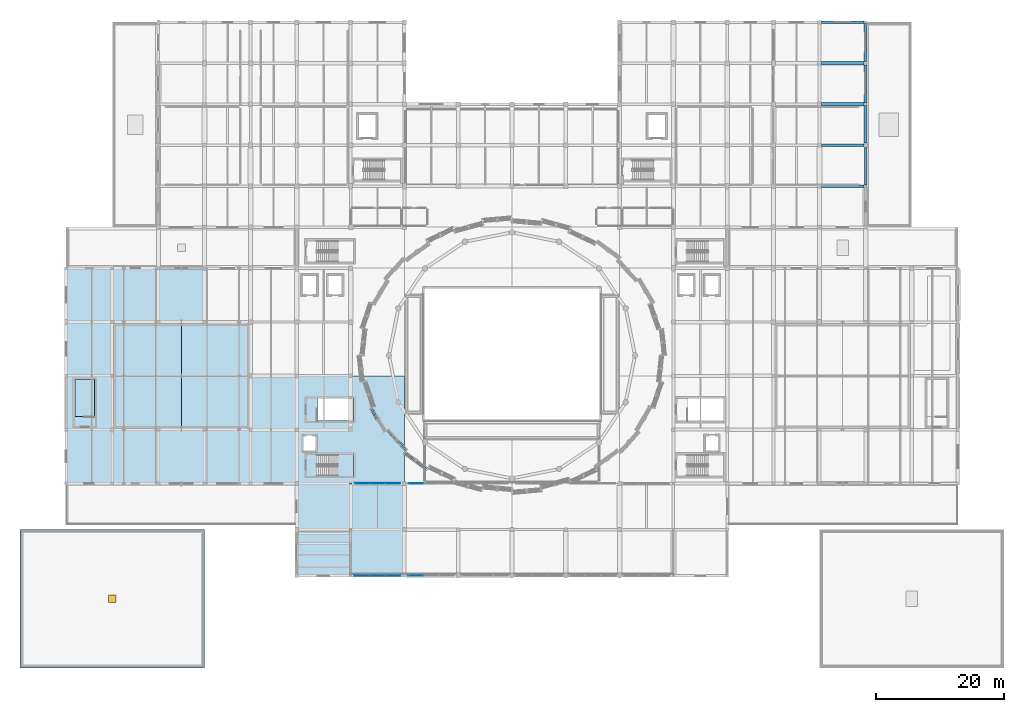
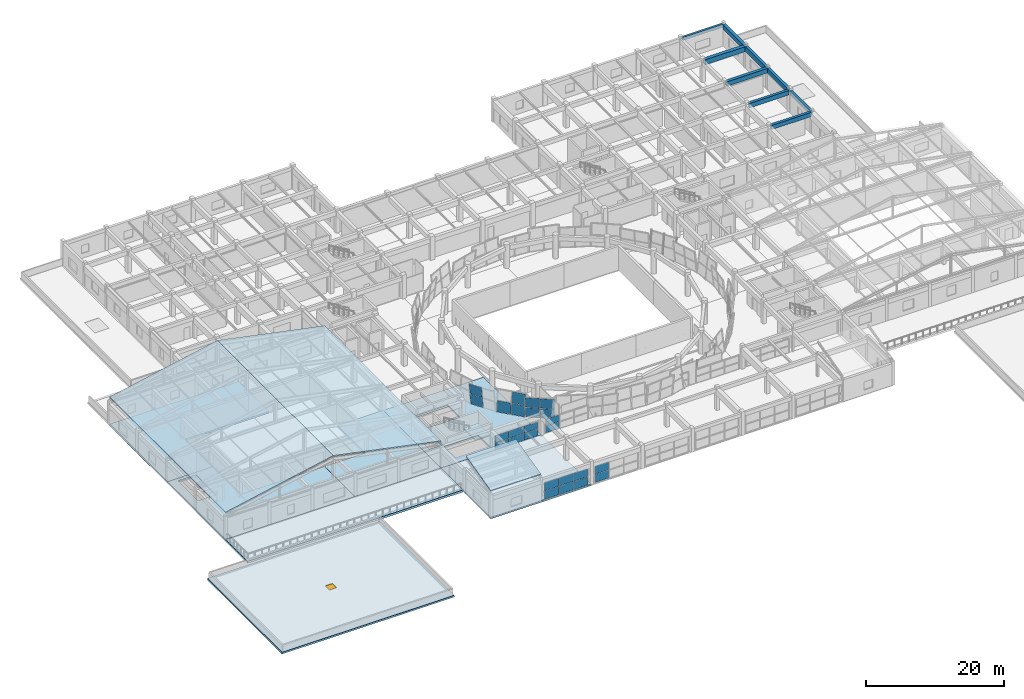
# One storey, part 47 of 74: 25 plates, 11 slabs, 9 beams, 1 window, 1 opening, 8 elements without a shape of their own.
"""IFC4 building model written with IfcOpenShell, lengths in metres."""

from ifc_helpers import new_model, si_unit, direction, frame, origin, origin_2d, place, context, subcontext, project, spatial, polyline, rectangle, outline, extrude, material, layer, layer_set, material_profile, profile_set, type_object, element, fill, aggregate, save


model = new_model("IFC4")

# Units and contexts
model_context = context("Model", 3, precision=1e-05, world=origin(), true_north=direction((0.0, 1.0)))
body_context = subcontext(model_context, "Body", "Model", "MODEL_VIEW")
ifc_project = project(units=[si_unit("LENGTHUNIT", "METRE"), si_unit("AREAUNIT", "SQUARE_METRE"), si_unit("VOLUMEUNIT", "CUBIC_METRE"), si_unit("PLANEANGLEUNIT", "RADIAN"), si_unit("MASSUNIT", "GRAM", prefix="KILO")], contexts=[model_context])

# Site, building, storey
site_placement = place(None, origin())
site = spatial("IfcSite", under=ifc_project, at=site_placement, CompositionType="ELEMENT")
building_placement = place(site_placement, origin())
building = spatial("IfcBuilding", under=site, at=building_placement, Name="Korsvaeld Concert Hall", CompositionType="ELEMENT")
storey_placement = place(building_placement, frame((0.0, 0.0, 9.0)))
storey = spatial("IfcBuildingStorey", under=building, at=storey_placement, Name="L02", CompositionType="ELEMENT", Elevation=9.0)

# Beams
ifc_material_1 = material(Name="Concrete C35/45", Category="concrete")
ifc_material_profile_1 = material_profile(ifc_material_1, rectangle(XDim=0.39990234375, YDim=0.699951171875, at=origin_2d()), Name="RC 400x700")
ifc_profile_set_1 = profile_set([ifc_material_profile_1], Name="Concrete C35/45")
beam_type_1 = type_object("IfcBeamType", Name="BM-RC-400x700", PredefinedType="T_BEAM", material=ifc_profile_set_1)
beam_1_placement = place(storey_placement, frame((139.199951171875, 89.824951171875, 3.489990234375), z_axis=(0.0, 1.0, 0.0), x_axis=(-1.0, 0.0, 0.0)))
element("IfcBeam", 1, at=beam_1_placement, inside=storey, type_object=beam_type_1, Name="Primary girder 19/N-P L02", PredefinedType="T_BEAM", context=body_context, shape_type="SweptSolid", body=[
    extrude(rectangle(XDim=0.39990234375, YDim=0.699951171875, at=origin_2d()), origin(), (0.0, 0.0, 1.0), 5.800048828125),
])
ifc_material_profile_2 = material_profile(ifc_material_1, rectangle(XDim=0.449951171875, YDim=0.75, at=origin_2d()), Name="RC 450x750")
ifc_profile_set_2 = profile_set([ifc_material_profile_2], Name="Concrete C35/45")
beam_type_2 = type_object("IfcBeamType", Name="BM-RC-450x750", PredefinedType="T_BEAM", material=ifc_profile_set_2)
beam_2_placement = place(storey_placement, frame((132.27490234375, 89.60009765625, 3.465087890625), z_axis=(1.0, 0.0, 0.0), x_axis=(0.0, 1.0, 0.0)))
element("IfcBeam", 2, at=beam_2_placement, inside=storey, type_object=beam_type_2, Name="Primary girder 18-19/N L02", PredefinedType="T_BEAM", context=body_context, shape_type="SweptSolid", body=[
    extrude(rectangle(XDim=0.449951171875, YDim=0.75, at=origin_2d()), origin(), (0.0, 0.0, 1.0), 6.7001953125),
])
ifc_material_profile_3 = material_profile(ifc_material_1, rectangle(XDim=0.449951171875, YDim=0.800048828125, at=origin_2d()), Name="RC 450x800")
ifc_profile_set_3 = profile_set([ifc_material_profile_3], Name="Concrete C35/45")
beam_type_3 = type_object("IfcBeamType", Name="BM-RC-450x800", PredefinedType="T_BEAM", material=ifc_profile_set_3)
beam_3_placement = place(storey_placement, frame((132.300048828125, 96.0, 3.43994140625), z_axis=(1.0, 0.0, 0.0), x_axis=(0.0, 1.0, 0.0)))
element("IfcBeam", 3, at=beam_3_placement, inside=storey, type_object=beam_type_3, Name="Primary girder 18-19/P L02", PredefinedType="T_BEAM", context=body_context, shape_type="SweptSolid", body=[
    extrude(rectangle(XDim=0.449951171875, YDim=0.800048828125, at=origin_2d()), origin(), (0.0, 0.0, 1.0), 6.625),
])
beam_4_placement = place(storey_placement, frame((139.199951171875, 96.375, 3.43994140625), z_axis=(0.0, 1.0, 0.0), x_axis=(-1.0, 0.0, 0.0)))
element("IfcBeam", 4, at=beam_4_placement, inside=storey, type_object=beam_type_3, Name="Primary girder 19/P-Q L02", PredefinedType="T_BEAM", context=body_context, shape_type="SweptSolid", body=[
    extrude(rectangle(XDim=0.449951171875, YDim=0.800048828125, at=origin_2d()), origin(), (0.0, 0.0, 1.0), 5.800048828125),
])
ifc_material_2 = material(Name="Concrete C40/50", Category="concrete")
ifc_material_profile_4 = material_profile(ifc_material_2, rectangle(XDim=0.449951171875, YDim=0.85009765625, at=origin_2d()), Name="RC 450x850")
ifc_profile_set_4 = profile_set([ifc_material_profile_4], Name="Concrete C40/50")
beam_type_4 = type_object("IfcBeamType", Name="BM-RC-450x850", PredefinedType="T_BEAM", material=ifc_profile_set_4)
beam_5_placement = place(storey_placement, frame((139.199951171875, 102.625, 3.4150390625), z_axis=(0.0, 1.0, 0.0), x_axis=(-1.0, 0.0, 0.0)))
element("IfcBeam", 5, at=beam_5_placement, inside=storey, type_object=beam_type_4, Name="Primary girder 19/Q-R L02", PredefinedType="T_BEAM", context=body_context, shape_type="SweptSolid", body=[
    extrude(rectangle(XDim=0.449951171875, YDim=0.85009765625, at=origin_2d()), origin(), (0.0, 0.0, 1.0), 5.925048828125),
])
ifc_material_profile_5 = material_profile(ifc_material_2, rectangle(XDim=0.5, YDim=0.800048828125, at=origin_2d()), Name="RC 500x800")
ifc_profile_set_5 = profile_set([ifc_material_profile_5], Name="Concrete C40/50")
beam_type_5 = type_object("IfcBeamType", Name="BM-RC-500x800", PredefinedType="T_BEAM", material=ifc_profile_set_5)
beam_6_placement = place(storey_placement, frame((132.27490234375, 102.39990234375, 3.43994140625), z_axis=(1.0, 0.0, 0.0), x_axis=(0.0, 1.0, 0.0)))
element("IfcBeam", 6, at=beam_6_placement, inside=storey, type_object=beam_type_5, Name="Primary girder 18-19/Q L02", PredefinedType="T_BEAM", context=body_context, shape_type="SweptSolid", body=[
    extrude(rectangle(XDim=0.5, YDim=0.800048828125, at=origin_2d()), origin(), (0.0, 0.0, 1.0), 6.7001953125),
])
ifc_material_profile_6 = material_profile(ifc_material_2, rectangle(XDim=0.5, YDim=0.85009765625, at=origin_2d()), Name="RC 500x850")
ifc_profile_set_6 = profile_set([ifc_material_profile_6], Name="Concrete C40/50")
beam_type_6 = type_object("IfcBeamType", Name="BM-RC-500x850", PredefinedType="T_BEAM", material=ifc_profile_set_6)
beam_7_placement = place(storey_placement, frame((139.199951171875, 109.050048828125, 3.4150390625), z_axis=(0.0, 1.0, 0.0), x_axis=(-1.0, 0.0, 0.0)))
element("IfcBeam", 7, at=beam_7_placement, inside=storey, type_object=beam_type_6, Name="Primary girder 19/R-S L02", PredefinedType="T_BEAM", context=body_context, shape_type="SweptSolid", body=[
    extrude(rectangle(XDim=0.5, YDim=0.85009765625, at=origin_2d()), origin(), (0.0, 0.0, 1.0), 5.925048828125),
])
ifc_material_profile_7 = material_profile(ifc_material_2, rectangle(XDim=0.550048828125, YDim=0.89990234375, at=origin_2d()), Name="RC 550x900")
ifc_profile_set_7 = profile_set([ifc_material_profile_7], Name="Concrete C40/50")
beam_type_7 = type_object("IfcBeamType", Name="BM-RC-550x900", PredefinedType="T_BEAM", material=ifc_profile_set_7)
beam_8_placement = place(storey_placement, frame((132.300048828125, 108.800048828125, 3.389892578125), z_axis=(1.0, 0.0, 0.0), x_axis=(0.0, 1.0, 0.0)))
element("IfcBeam", 8, at=beam_8_placement, inside=storey, type_object=beam_type_7, Name="Primary girder 18-19/R L02", PredefinedType="T_BEAM", context=body_context, shape_type="SweptSolid", body=[
    extrude(rectangle(XDim=0.550048828125, YDim=0.89990234375, at=origin_2d()), origin(), (0.0, 0.0, 1.0), 6.64990234375),
])
ifc_material_profile_8 = material_profile(ifc_material_1, rectangle(XDim=0.35009765625, YDim=0.550048828125, at=origin_2d()), Name="RC 350x550")
ifc_profile_set_8 = profile_set([ifc_material_profile_8], Name="Concrete C35/45")
beam_type_8 = type_object("IfcBeamType", Name="BM-SP-350x550", PredefinedType="SPANDREL", material=ifc_profile_set_8)
beam_9_placement = place(storey_placement, frame((132.27490234375, 115.199951171875, 3.56494140625), z_axis=(1.0, 0.0, 0.0), x_axis=(0.0, 1.0, 0.0)))
element("IfcBeam", 9, at=beam_9_placement, inside=storey, type_object=beam_type_8, Name="Primary girder 18-19/S L02", PredefinedType="SPANDREL", context=body_context, shape_type="SweptSolid", body=[
    extrude(rectangle(XDim=0.35009765625, YDim=0.550048828125, at=origin_2d()), origin(), (0.0, 0.0, 1.0), 6.7001953125),
])

# Curtain wall, plates
ifc_material_3 = material(Name="Anodised bronze and ceramic-fritted safety glass", Category="glass")
curtain_wall_type_1 = type_object("IfcCurtainWallType", Name="CW-TYPE-09", PredefinedType="USERDEFINED", material=ifc_material_3)
curtain_wall_1_placement = place(storey_placement, origin())
curtain_wall_1 = element("IfcCurtainWall", 10, at=curtain_wall_1_placement, inside=storey, type_object=curtain_wall_type_1, Name="Wintergarden foyer curtain wall L02-17", ObjectType="CURTAIN WALL", PredefinedType="USERDEFINED")
ifc_material_4 = material(Name="Clear acoustic triple safety glazing", Category="glass")
ifc_layer_1 = layer(ifc_material_4, 0.0439453125)
ifc_layer_set_1 = layer_set([ifc_layer_1], Name="Clear acoustic triple safety glazing")
plate_type_1 = type_object("IfcPlateType", Name="CWP-CLEAR-44", PredefinedType="CURTAIN_PANEL", material=ifc_layer_set_1)
plate_1_placement = place(storey_placement, frame((68.981689453125, 28.800048828125, 0.06005859375), z_axis=(0.0, 0.0, 1.0), x_axis=(-1.0, 0.0, 0.0)))
plate_1 = element("IfcPlate", 11, at=plate_1_placement, type_object=plate_type_1, Name="CW-09 panel 3.1", PredefinedType="CURTAIN_PANEL", context=body_context, shape_type="SweptSolid", body=[
    extrude(rectangle(XDim=2.34326171875, YDim=0.0439453125, at=origin_2d()), origin(), (0.0, 0.0, 1.0), 1.429931640625),
])
plate_2_placement = place(storey_placement, frame((68.981689453125, 28.800048828125, 1.5498046875), z_axis=(0.0, 0.0, 1.0), x_axis=(-1.0, 0.0, 0.0)))
plate_2 = element("IfcPlate", 12, at=plate_2_placement, type_object=plate_type_1, Name="CW-09 panel 3.2", PredefinedType="CURTAIN_PANEL", context=body_context, shape_type="SweptSolid", body=[
    extrude(rectangle(XDim=2.34326171875, YDim=0.0439453125, at=origin_2d()), origin(), (0.0, 0.0, 1.0), 1.429931640625),
])
aggregate(curtain_wall_1, [plate_1, plate_2])

curtain_wall_type_2 = type_object("IfcCurtainWallType", Name="CW-TYPE-10", PredefinedType="USERDEFINED", material=ifc_material_3)
curtain_wall_2_placement = place(storey_placement, origin())
curtain_wall_2 = element("IfcCurtainWall", 13, at=curtain_wall_2_placement, inside=storey, type_object=curtain_wall_type_2, Name="Wintergarden foyer curtain wall L02-18", ObjectType="CURTAIN WALL", PredefinedType="USERDEFINED")
plate_3_placement = place(storey_placement, frame((65.418212890625, 28.800048828125, 0.06005859375), z_axis=(0.0, 0.0, 1.0), x_axis=(-1.0, 0.0, 0.0)))
plate_3 = element("IfcPlate", 14, at=plate_3_placement, type_object=plate_type_1, Name="CW-10 panel 1.1", PredefinedType="CURTAIN_PANEL", context=body_context, shape_type="SweptSolid", body=[
    extrude(rectangle(XDim=2.34326171875, YDim=0.0439453125, at=origin_2d()), origin(), (0.0, 0.0, 1.0), 1.429931640625),
])
plate_4_placement = place(storey_placement, frame((65.418212890625, 28.800048828125, 1.5498046875), z_axis=(0.0, 0.0, 1.0), x_axis=(-1.0, 0.0, 0.0)))
plate_4 = element("IfcPlate", 15, at=plate_4_placement, type_object=plate_type_1, Name="CW-10 panel 1.2", PredefinedType="CURTAIN_PANEL", context=body_context, shape_type="SweptSolid", body=[
    extrude(rectangle(XDim=2.34326171875, YDim=0.0439453125, at=origin_2d()), origin(), (0.0, 0.0, 1.0), 1.429931640625),
])
plate_5_placement = place(storey_placement, frame((63.0, 28.800048828125, 0.06005859375), z_axis=(0.0, 0.0, 1.0), x_axis=(-1.0, 0.0, 0.0)))
plate_5 = element("IfcPlate", 16, at=plate_5_placement, type_object=plate_type_1, Name="CW-10 panel 2.1", PredefinedType="CURTAIN_PANEL", context=body_context, shape_type="SweptSolid", body=[
    extrude(rectangle(XDim=2.373291015625, YDim=0.0439453125, at=origin_2d()), origin(), (0.0, 0.0, 1.0), 1.429931640625),
])
plate_6_placement = place(storey_placement, frame((63.0, 28.800048828125, 1.5498046875), z_axis=(0.0, 0.0, 1.0), x_axis=(-1.0, 0.0, 0.0)))
plate_6 = element("IfcPlate", 17, at=plate_6_placement, type_object=plate_type_1, Name="CW-10 panel 2.2", PredefinedType="CURTAIN_PANEL", context=body_context, shape_type="SweptSolid", body=[
    extrude(rectangle(XDim=2.373291015625, YDim=0.0439453125, at=origin_2d()), origin(), (0.0, 0.0, 1.0), 1.429931640625),
])
plate_7_placement = place(storey_placement, frame((60.581787109375, 28.800048828125, 0.06005859375), z_axis=(0.0, 0.0, 1.0), x_axis=(-1.0, 0.0, 0.0)))
plate_7 = element("IfcPlate", 18, at=plate_7_placement, type_object=plate_type_1, Name="CW-10 panel 3.1", PredefinedType="CURTAIN_PANEL", context=body_context, shape_type="SweptSolid", body=[
    extrude(rectangle(XDim=2.34326171875, YDim=0.0439453125, at=origin_2d()), origin(), (0.0, 0.0, 1.0), 1.429931640625),
])
plate_8_placement = place(storey_placement, frame((60.581787109375, 28.800048828125, 1.5498046875), z_axis=(0.0, 0.0, 1.0), x_axis=(-1.0, 0.0, 0.0)))
plate_8 = element("IfcPlate", 19, at=plate_8_placement, type_object=plate_type_1, Name="CW-10 panel 3.2", PredefinedType="CURTAIN_PANEL", context=body_context, shape_type="SweptSolid", body=[
    extrude(rectangle(XDim=2.34326171875, YDim=0.0439453125, at=origin_2d()), origin(), (0.0, 0.0, 1.0), 1.429931640625),
])
aggregate(curtain_wall_2, [plate_3, plate_4, plate_5, plate_6, plate_7, plate_8])

curtain_wall_type_3 = type_object("IfcCurtainWallType", Name="CW-TYPE-15", PredefinedType="USERDEFINED", material=ifc_material_3)
curtain_wall_3_placement = place(storey_placement, origin())
curtain_wall_3 = element("IfcCurtainWall", 20, at=curtain_wall_3_placement, inside=storey, type_object=curtain_wall_type_3, Name="Glazed foyer acoustic screen L02-31", ObjectType="CURTAIN WALL", PredefinedType="USERDEFINED")
plate_9_placement = place(storey_placement, frame((60.614990234375, 43.199951171875, 0.06005859375), z_axis=(0.0, 0.0, 1.0), x_axis=(1.0, 0.0, 0.0)))
plate_9 = element("IfcPlate", 21, at=plate_9_placement, type_object=plate_type_1, Name="CW-15 panel 1.1", PredefinedType="CURTAIN_PANEL", context=body_context, shape_type="SweptSolid", body=[
    extrude(rectangle(XDim=2.31005859375, YDim=0.0439453125, at=origin_2d()), origin(), (0.0, 0.0, 1.0), 1.18505859375),
])
plate_10_placement = place(storey_placement, frame((60.614990234375, 43.199951171875, 1.304931640625), z_axis=(0.0, 0.0, 1.0), x_axis=(1.0, 0.0, 0.0)))
plate_10 = element("IfcPlate", 22, at=plate_10_placement, type_object=plate_type_1, Name="CW-15 panel 1.2", PredefinedType="CURTAIN_PANEL", context=body_context, shape_type="SweptSolid", body=[
    extrude(rectangle(XDim=2.31005859375, YDim=0.0439453125, at=origin_2d()), origin(), (0.0, 0.0, 1.0), 1.18505859375),
])
plate_11_placement = place(storey_placement, frame((63.0, 43.199951171875, 0.06005859375), z_axis=(0.0, 0.0, 1.0), x_axis=(1.0, 0.0, 0.0)))
plate_11 = element("IfcPlate", 23, at=plate_11_placement, type_object=plate_type_1, Name="CW-15 panel 2.1", PredefinedType="CURTAIN_PANEL", context=body_context, shape_type="SweptSolid", body=[
    extrude(rectangle(XDim=2.340087890625, YDim=0.0439453125, at=origin_2d()), origin(), (0.0, 0.0, 1.0), 1.18505859375),
])
plate_12_placement = place(storey_placement, frame((63.0, 43.199951171875, 1.304931640625), z_axis=(0.0, 0.0, 1.0), x_axis=(1.0, 0.0, 0.0)))
plate_12 = element("IfcPlate", 24, at=plate_12_placement, type_object=plate_type_1, Name="CW-15 panel 2.2", PredefinedType="CURTAIN_PANEL", context=body_context, shape_type="SweptSolid", body=[
    extrude(rectangle(XDim=2.340087890625, YDim=0.0439453125, at=origin_2d()), origin(), (0.0, 0.0, 1.0), 1.18505859375),
])
plate_13_placement = place(storey_placement, frame((65.385009765625, 43.199951171875, 0.06005859375), z_axis=(0.0, 0.0, 1.0), x_axis=(1.0, 0.0, 0.0)))
plate_13 = element("IfcPlate", 25, at=plate_13_placement, type_object=plate_type_1, Name="CW-15 panel 3.1", PredefinedType="CURTAIN_PANEL", context=body_context, shape_type="SweptSolid", body=[
    extrude(rectangle(XDim=2.31005859375, YDim=0.0439453125, at=origin_2d()), origin(), (0.0, 0.0, 1.0), 1.18505859375),
])
plate_14_placement = place(storey_placement, frame((65.385009765625, 43.199951171875, 1.304931640625), z_axis=(0.0, 0.0, 1.0), x_axis=(1.0, 0.0, 0.0)))
plate_14 = element("IfcPlate", 26, at=plate_14_placement, type_object=plate_type_1, Name="CW-15 panel 3.2", PredefinedType="CURTAIN_PANEL", context=body_context, shape_type="SweptSolid", body=[
    extrude(rectangle(XDim=2.31005859375, YDim=0.0439453125, at=origin_2d()), origin(), (0.0, 0.0, 1.0), 1.18505859375),
])
aggregate(curtain_wall_3, [plate_9, plate_10, plate_11, plate_12, plate_13, plate_14])

curtain_wall_type_4 = type_object("IfcCurtainWallType", Name="CW-TYPE-08", PredefinedType="USERDEFINED", material=ifc_material_3)
curtain_wall_4_placement = place(storey_placement, origin())
curtain_wall_4 = element("IfcCurtainWall", 27, at=curtain_wall_4_placement, inside=storey, type_object=curtain_wall_type_4, Name="Glazed foyer acoustic screen L02-32", ObjectType="CURTAIN WALL", PredefinedType="USERDEFINED")
plate_15_placement = place(storey_placement, frame((69.014892578125, 43.199951171875, 0.06005859375), z_axis=(0.0, 0.0, 1.0), x_axis=(1.0, 0.0, 0.0)))
plate_15 = element("IfcPlate", 28, at=plate_15_placement, type_object=plate_type_1, Name="CW-08 panel 1.1", PredefinedType="CURTAIN_PANEL", context=body_context, shape_type="SweptSolid", body=[
    extrude(rectangle(XDim=2.31005859375, YDim=0.0439453125, at=origin_2d()), origin(), (0.0, 0.0, 1.0), 1.18505859375),
])
plate_16_placement = place(storey_placement, frame((69.014892578125, 43.199951171875, 1.304931640625), z_axis=(0.0, 0.0, 1.0), x_axis=(1.0, 0.0, 0.0)))
plate_16 = element("IfcPlate", 29, at=plate_16_placement, type_object=plate_type_1, Name="CW-08 panel 1.2", PredefinedType="CURTAIN_PANEL", context=body_context, shape_type="SweptSolid", body=[
    extrude(rectangle(XDim=2.31005859375, YDim=0.0439453125, at=origin_2d()), origin(), (0.0, 0.0, 1.0), 1.18505859375),
])
aggregate(curtain_wall_4, [plate_15, plate_16])

curtain_wall_type_5 = type_object("IfcCurtainWallType", Name="CW-TYPE-03", PredefinedType="USERDEFINED", material=ifc_material_3)
curtain_wall_5_placement = place(storey_placement, origin())
curtain_wall_5 = element("IfcCurtainWall", 30, at=curtain_wall_5_placement, inside=storey, type_object=curtain_wall_type_5, Name="Crystal curtain-wall facet L02 F19", ObjectType="CURTAIN WALL", PredefinedType="USERDEFINED")
ifc_material_5 = material(Name="Translucent ceramic-fritted crystal safety glass", Category="glass")
ifc_layer_2 = layer(ifc_material_5, 0.035888671875)
ifc_layer_set_2 = layer_set([ifc_layer_2], Name="Translucent ceramic-fritted crystal safety glass")
plate_type_2 = type_object("IfcPlateType", Name="CWP-CRYSTAL-36", PredefinedType="CURTAIN_PANEL", material=ifc_layer_set_2)
plate_17_placement = place(storey_placement, frame((62.228515625, 55.019775390625, 0.06005859375), z_axis=(-0.853892161526, -0.508096158557, -0.112722979661), x_axis=(0.511354967766, -0.859369592742, 3.460872e-06)))
plate_17 = element("IfcPlate", 31, at=plate_17_placement, type_object=plate_type_2, Name="CW-CRYS-L02-F19 ceramic-fritted crystal panel 1.1", PredefinedType="CURTAIN_PANEL", context=body_context, shape_type="SweptSolid", body=[
    extrude(outline(polyline([(0.0, 0.0), (2.0201464947764305, 2.7755575615628914e-17), (2.0012834372079804, 1.8617122986416608), (-0.01865325053897172, 1.861726370541177), (0.0, 0.0)])), frame((0.0, 0.0, 0.01806640625)), (0.0, 0.0, -1.0), 0.035888671875),
])
plate_18_placement = place(storey_placement, frame((62.032470703125, 54.925537109375, 1.969970703125), z_axis=(-0.85388274351, -0.508090554503, -0.112819540684), x_axis=(0.511354967188, -0.859369593086, 3.463799e-06)))
plate_18 = element("IfcPlate", 32, at=plate_18_placement, type_object=plate_type_2, Name="CW-CRYS-L02-F19 ceramic-fritted crystal panel 1.2", PredefinedType="CURTAIN_PANEL", context=body_context, shape_type="SweptSolid", body=[
    extrude(outline(polyline([(0.0, 0.0), (2.0201464947764514, 0.0), (2.001158601087066, 1.8619785365495645), (-0.0187780866598231, 1.8619926205033843), (0.0, 0.0)])), frame((0.0, 0.0, 0.01806640625)), (0.0, 0.0, -1.0), 0.035888671875),
])
aggregate(curtain_wall_5, [plate_17, plate_18])

curtain_wall_type_6 = type_object("IfcCurtainWallType", Name="CW-TYPE-04", PredefinedType="USERDEFINED", material=ifc_material_3)
curtain_wall_6_placement = place(storey_placement, origin())
curtain_wall_6 = element("IfcCurtainWall", 33, at=curtain_wall_6_placement, inside=storey, type_object=curtain_wall_type_6, Name="Crystal curtain-wall facet L02 F20", ObjectType="CURTAIN WALL", PredefinedType="USERDEFINED")
plate_19_placement = place(storey_placement, frame((64.433349609375, 51.37060546875, 0.06005859375), z_axis=(-0.733584802726, -0.670208907764, 0.112576006159), x_axis=(0.674496604142, -0.738277949692, 0.0)))
plate_19 = element("IfcPlate", 34, at=plate_19_placement, type_object=plate_type_2, Name="CW-CRYS-L02-F20 ceramic-fritted crystal panel 1.1", PredefinedType="CURTAIN_PANEL", context=body_context, shape_type="SweptSolid", body=[
    extrude(outline(polyline([(0.0, 0.0), (2.0631705985682665, -1.3877787807814457e-17), (2.0853329104912675, 1.8616880497932604), (0.02216231192300119, 1.8616880497932604), (0.0, 0.0)])), frame((0.0, 0.0, 0.01806640625)), (0.0, 0.0, -1.0), 0.035888671875),
])
plate_20_placement = place(storey_placement, frame((65.87548828125, 49.7919921875, 0.06005859375), z_axis=(-0.733559567217, -0.670244640635, 0.112527699015), x_axis=(0.674529259375, -0.73824811427, 4.883544e-06)))
plate_20 = element("IfcPlate", 35, at=plate_20_placement, type_object=plate_type_2, Name="CW-CRYS-L02-F20 ceramic-fritted crystal panel 2.1", PredefinedType="CURTAIN_PANEL", context=body_context, shape_type="SweptSolid", body=[
    extrude(outline(polyline([(0.0, 0.0), (2.063335276520315, -1.3877787807814457e-17), (2.085351212582416, 1.8616675488663554), (0.022180616057065127, 1.8616878296496642), (0.0, 0.0)])), frame((0.0, 0.0, 0.01806640625)), (0.0, 0.0, -1.0), 0.035888671875),
])
plate_21_placement = place(storey_placement, frame((66.05078125, 49.921142578125, 1.969970703125), z_axis=(-0.733586029487, -0.670210028542, 0.112561338758), x_axis=(0.674496604142, -0.738277949692, 0.0)))
plate_21 = element("IfcPlate", 36, at=plate_21_placement, type_object=plate_type_2, Name="CW-CRYS-L02-F20 ceramic-fritted crystal panel 2.2", PredefinedType="CURTAIN_PANEL", context=body_context, shape_type="SweptSolid", body=[
    extrude(outline(polyline([(0.0, 0.0), (2.0631705985682665, 0.0), (2.0853329104912675, 1.861930638647585), (0.02216231192300118, 1.861930638647585), (0.0, 0.0)])), frame((0.0, 0.0, 0.01806640625)), (0.0, 0.0, -1.0), 0.035888671875),
])
aggregate(curtain_wall_6, [plate_19, plate_20, plate_21])

curtain_wall_type_7 = type_object("IfcCurtainWallType", Name="CW-TYPE-05", PredefinedType="USERDEFINED", material=ifc_material_3)
curtain_wall_7_placement = place(storey_placement, origin())
curtain_wall_7 = element("IfcCurtainWall", 37, at=curtain_wall_7_placement, inside=storey, type_object=curtain_wall_type_7, Name="Crystal curtain-wall facet L02 F21", ObjectType="CURTAIN WALL", PredefinedType="USERDEFINED")
plate_22_placement = place(storey_placement, frame((67.3681640625, 48.15966796875, 0.06005859375), z_axis=(-0.589630123852, -0.799785066551, -0.112606235924), x_axis=(0.804904507896, -0.593404358906, 0.0)))
plate_22 = element("IfcPlate", 38, at=plate_22_placement, type_object=plate_type_2, Name="CW-CRYS-L02-F21 ceramic-fritted crystal panel 1.1", PredefinedType="CURTAIN_PANEL", context=body_context, shape_type="SweptSolid", body=[
    extrude(outline(polyline([(0.0, 0.0), (2.1089579558479716, -1.3877787807814457e-17), (2.08667749894365, 1.8616944676085372), (-0.02228045690432169, 1.8616944676085372), (0.0, 0.0)])), frame((0.0, 0.0, 0.01806640625)), (0.0, 0.0, -1.0), 0.035888671875),
])
plate_23_placement = place(storey_placement, frame((67.22119140625, 47.9990234375, 1.969970703125), z_axis=(-0.589606250178, -0.799810195203, -0.112552749416), x_axis=(0.804925146467, -0.59337636334, -3.840784e-06)))
plate_23 = element("IfcPlate", 39, at=plate_23_placement, type_object=plate_type_2, Name="CW-CRYS-L02-F21 ceramic-fritted crystal panel 1.2", PredefinedType="CURTAIN_PANEL", context=body_context, shape_type="SweptSolid", body=[
    extrude(outline(polyline([(0.0, 0.0), (2.109154469485147, 2.7755575615628914e-17), (2.0868596153830166, 1.8619368818990785), (-0.022098339173793932, 1.8619205774388161), (0.0, 0.0)])), frame((0.0, 0.0, 0.01806640625)), (0.0, 0.0, -1.0), 0.035888671875),
])
plate_24_placement = place(storey_placement, frame((69.1259765625, 46.86376953125, 0.06005859375), z_axis=(-0.589669009393, -0.799759801484, -0.112582055815), x_axis=(0.804877212067, -0.593441381661, -5.211598e-06)))
plate_24 = element("IfcPlate", 40, at=plate_24_placement, type_object=plate_type_2, Name="CW-CRYS-L02-F21 ceramic-fritted crystal panel 2.1", PredefinedType="CURTAIN_PANEL", context=body_context, shape_type="SweptSolid", body=[
    extrude(outline(polyline([(0.0, 0.0), (2.1089579535883205, -1.3877787807814457e-17), (2.087018885180478, 1.8617002803194196), (-0.022083951557662292, 1.861678156832034), (0.0, 0.0)])), frame((0.0, 0.0, 0.01806640625)), (0.0, 0.0, -1.0), 0.035888671875),
])
plate_25_placement = place(storey_placement, frame((68.979248046875, 46.703125, 1.969970703125), z_axis=(-0.589599242948, -0.799800689785, -0.112656954223), x_axis=(0.804924629662, -0.593377064395, 3.844652e-06)))
plate_25 = element("IfcPlate", 41, at=plate_25_placement, type_object=plate_type_2, Name="CW-CRYS-L02-F21 ceramic-fritted crystal panel 2.2", PredefinedType="CURTAIN_PANEL", context=body_context, shape_type="SweptSolid", body=[
    extrude(outline(polyline([(0.0, 0.0), (2.108957954619865, 0.0), (2.0870188841596646, 1.8619428687244644), (-0.022135585262363797, 1.8619591898005718), (0.0, 0.0)])), frame((0.0, 0.0, 0.01806640625)), (0.0, 0.0, -1.0), 0.035888671875),
])
aggregate(curtain_wall_7, [plate_22, plate_23, plate_24, plate_25])

# Slab, opening, window
ifc_layer_3 = layer(ifc_material_1, 0.300048828125)
ifc_layer_set_3 = layer_set([ifc_layer_3], Name="Concrete C35/45")
slab_type_1 = type_object("IfcSlabType", Name="SLB-FLATROOF-300", PredefinedType="ROOF", material=ifc_layer_set_3)
slab_1_placement = place(storey_placement, frame((0.0, 0.0, -0.300048828125)))
slab_1 = element("IfcSlab", 42, at=slab_1_placement, inside=storey, type_object=slab_type_1, Name="Flat acoustic roof ROOF_L02_SW", PredefinedType="ROOF", context=body_context, shape_type="SweptSolid", body=[
    extrude(outline(polyline([(7.199951171875, 14.39990234375), (7.199951171875, 36.0), (36.0, 36.0), (36.0, 14.39990234375), (7.199951171875, 14.39990234375)])), origin(), (0.0, 0.0, 1.0), 0.300048828125),
])
opening_placement = place(slab_1_placement, frame((21.60009765625, 25.199951171875, -0.010009765625)))
opening = element("IfcOpeningElement", 43, at=opening_placement, cuts=slab_1, Name="Opening SK-01", PredefinedType="OPENING", context=body_context, shape_type="SweptSolid", body=[
    extrude(rectangle(XDim=1.199951171875, YDim=1.199951171875, at=origin_2d()), origin(), (0.0, 0.0, 1.0), 0.320068359375),
])
ifc_material_6 = material(Name="Anodised bronze frame with acoustic triple glazing", Category="glass")
window_type = type_object("IfcWindowType", Name="SKY-HATCH-120x120", PartitioningType="SINGLE_PANEL", PredefinedType="SKYLIGHT", material=ifc_material_6)
window_placement = place(slab_1_placement, frame((21.60009765625, 25.199951171875, 0.25)))
window = element("IfcWindow", 44, at=window_placement, inside=storey, type_object=window_type, Name="Acoustic skylight / roof hatch SLB-ROOF_L02_SW", OverallHeight=1.199951171875, OverallWidth=1.199951171875, PartitioningType="SINGLE_PANEL", PredefinedType="SKYLIGHT", context=body_context, shape_type="SweptSolid", body=[
    extrude(rectangle(XDim=1.199951171875, YDim=1.199951171875, at=origin_2d()), origin(), (0.0, 0.0, 1.0), 0.050048828125),
])
fill(opening, window)

# Slabs
ifc_layer_4 = layer(ifc_material_1, 0.280029296875)
ifc_layer_set_4 = layer_set([ifc_layer_4], Name="Concrete C35/45")
slab_type_2 = type_object("IfcSlabType", Name="SLB-FOY-280", PredefinedType="FLOOR", material=ifc_layer_set_4)
slab_2_placement = place(storey_placement, frame((0.0, 0.0, -0.280029296875)))
element("IfcSlab", 45, at=slab_2_placement, inside=storey, type_object=slab_type_2, Name="Structural slab L02 V4_BELV_L02 1.1", PredefinedType="FLOOR", context=body_context, shape_type="SweptSolid", body=[
    extrude(outline(polyline([(50.39990234375, 28.800048828125), (50.39990234375, 43.199951171875), (67.199951171875, 43.199951171875), (67.199951171875, 28.800048828125), (50.39990234375, 28.800048828125)])), origin(), (0.0, 0.0, 1.0), 0.280029296875),
])
ifc_layer_5 = layer(ifc_material_1, 0.320068359375)
ifc_layer_set_5 = layer_set([ifc_layer_5], Name="Concrete C35/45")
slab_type_3 = type_object("IfcSlabType", Name="SLB-HALL-320", PredefinedType="FLOOR", material=ifc_layer_set_5)
slab_3_placement = place(storey_placement, frame((0.0, 0.0, -0.320068359375)))
element("IfcSlab", 46, at=slab_3_placement, inside=storey, type_object=slab_type_3, Name="Structural slab L02 V3_L02 1.1", PredefinedType="FLOOR", context=body_context, shape_type="SweptSolid", body=[
    extrude(outline(polyline([(36.0, 43.199951171875), (14.39990234375, 43.199951171875), (14.39990234375, 60.0), (22.0, 60.0), (22.0, 52.0), (36.0, 52.0), (36.0, 43.199951171875)]), holes=[polyline([(18.844970703125, 53.64501953125), (18.844970703125, 59.405029296875), (15.794921875, 59.405029296875), (15.794921875, 53.64501953125), (18.844970703125, 53.64501953125)])]), origin(), (0.0, 0.0, 1.0), 0.320068359375),
])
slab_4_placement = place(storey_placement, frame((0.0, 0.0, -0.320068359375)))
element("IfcSlab", 47, at=slab_4_placement, inside=storey, type_object=slab_type_3, Name="Structural slab L02 V3_L02 1.2", PredefinedType="FLOOR", context=body_context, shape_type="SweptSolid", body=[
    extrude(outline(polyline([(14.39990234375, 60.0), (14.39990234375, 76.800048828125), (36.0, 76.800048828125), (36.0, 68.0), (22.0, 68.0), (22.0, 60.0), (14.39990234375, 60.0)])), origin(), (0.0, 0.0, 1.0), 0.320068359375),
])
slab_5_placement = place(storey_placement, frame((0.0, 0.0, -0.320068359375)))
element("IfcSlab", 48, at=slab_5_placement, inside=storey, type_object=slab_type_3, Name="Structural slab L02 V3_L02 2.1", PredefinedType="FLOOR", context=body_context, shape_type="SweptSolid", body=[
    extrude(outline(polyline([(50.39990234375, 60.0), (50.39990234375, 43.199951171875), (36.0, 43.199951171875), (36.0, 52.0), (42.800048828125, 52.0), (42.800048828125, 60.0), (50.39990234375, 60.0)])), origin(), (0.0, 0.0, 1.0), 0.320068359375),
])
slab_6_placement = place(storey_placement, frame((0.0, 0.0, -0.320068359375)))
element("IfcSlab", 49, at=slab_6_placement, inside=storey, type_object=slab_type_3, Name="Structural slab L02 V1_L02 1.1", PredefinedType="FLOOR", context=body_context, shape_type="SweptSolid", body=[
    extrude(outline(polyline([(50.39990234375, 43.199951171875), (50.39990234375, 60.0), (67.199951171875, 60.0), (67.199951171875, 43.199951171875), (50.39990234375, 43.199951171875)]), holes=[polyline([(59.205078125, 44.39501953125), (59.205078125, 47.64501953125), (53.544921875, 47.64501953125), (53.544921875, 44.39501953125), (59.205078125, 44.39501953125)]), polyline([(53.5, 50.75), (51.300048828125, 50.75), (51.300048828125, 48.14990234375), (53.5, 48.14990234375), (53.5, 50.75)]), polyline([(59.205078125, 52.9951171875), (59.205078125, 56.445068359375), (53.64501953125, 56.445068359375), (53.64501953125, 52.9951171875), (59.205078125, 52.9951171875)])]), origin(), (0.0, 0.0, 1.0), 0.320068359375),
])

# Stair, slab
ifc_material_7 = material(Name="Precast concrete C40/50", Category="concrete")
stair_type = type_object("IfcStairType", Name="STR-HT-155-42", PredefinedType="HALF_TURN_STAIR", material=ifc_material_7)
stair_placement = place(storey_placement, origin())
stair = element("IfcStair", 50, at=stair_placement, inside=storey, type_object=stair_type, Name="L02 ST-K3", PredefinedType="HALF_TURN_STAIR")
ifc_layer_6 = layer(ifc_material_7, 0.179931640625)
ifc_layer_set_6 = layer_set([ifc_layer_6], Name="Precast concrete C40/50")
slab_type_4 = type_object("IfcSlabType", Name="SLB-LANDING-180", PredefinedType="LANDING", material=ifc_layer_set_6)
slab_7_placement = place(storey_placement, frame((0.0, 0.0, 1.919921875)))
slab_7 = element("IfcSlab", 51, at=slab_7_placement, type_object=slab_type_4, Name="ST-K3 landing 1", PredefinedType="LANDING", context=body_context, shape_type="SweptSolid", body=[
    extrude(outline(polyline([(56.760009765625, 44.31005859375), (56.760009765625, 47.72998046875), (59.2900390625, 47.72998046875), (59.2900390625, 44.31005859375), (56.760009765625, 44.31005859375)])), origin(), (0.0, 0.0, 1.0), 0.18017578125),
])
aggregate(stair, [slab_7])

# Slabs
ifc_layer_7 = layer(ifc_material_1, 0.219970703125)
ifc_layer_set_7 = layer_set([ifc_layer_7], Name="Concrete C35/45")
slab_type_5 = type_object("IfcSlabType", Name="SLB-ROOF-220", PredefinedType="ROOF", material=ifc_layer_set_7)
for number, where, z_axis, x_axis, name in (
    (52, (14.39990234375, 43.199951171875, 4.800048828125), (-0.201343273415, 0.0, 0.979520743145), (0.979520743145, 0.0, 0.201343273415), "Orchestra Rehearsal Hall sloped acoustic roof West"),
    (53, (32.39990234375, 43.199951171875, 8.5), (0.201343273415, 0.0, 0.979520743145), (0.979520743145, 0.0, -0.201343273415), "Orchestra Rehearsal Hall sloped acoustic roof East"),
):
    element("IfcSlab", number, at=place(storey_placement, frame(where, z_axis=z_axis, x_axis=x_axis)), inside=storey, type_object=slab_type_5, Name=name, PredefinedType="ROOF", context=body_context, shape_type="SweptSolid", body=[
        extrude(outline(polyline([(0.0, 0.0), (18.376333657023622, 0.0), (18.376333657023622, 33.60009765625), (0.0, 33.60009765625), (0.0, 0.0)])), origin(), (0.0, 0.0, -1.0), 0.219970703125),
    ])
slab_8_placement = place(storey_placement, frame((50.39990234375, 28.800048828125, 4.75), z_axis=(0.0, -0.242543365301, 0.970140565046), x_axis=(1.0, 0.0, 0.0)))
element("IfcSlab", 54, at=slab_8_placement, inside=storey, type_object=slab_type_5, Name="Wintergarden skylight sloped roof West", PredefinedType="ROOF", context=body_context, shape_type="SweptSolid", body=[
    extrude(outline(polyline([(0.0, 0.0), (8.400146484375, 0.0), (8.400146484375, 7.421554598668555), (0.0, 7.421554598668555), (0.0, 0.0)])), origin(), (0.0, 0.0, -1.0), 0.219970703125),
])
ifc_layer_8 = layer(ifc_material_1, 0.360107421875)
ifc_layer_set_8 = layer_set([ifc_layer_8], Name="Concrete C35/45")
slab_type_6 = type_object("IfcSlabType", Name="SLB-TERR-360", PredefinedType="ROOF", material=ifc_layer_set_8)
slab_9_placement = place(storey_placement, frame((0.0, 0.0, -0.360107421875)))
element("IfcSlab", 55, at=slab_9_placement, inside=storey, type_object=slab_type_6, Name="West Charbagh Terrace Garden", PredefinedType="ROOF", context=body_context, shape_type="SweptSolid", body=[
    extrude(outline(polyline([(50.39990234375, 36.800048828125), (50.39990234375, 43.199951171875), (14.39990234375, 43.199951171875), (14.39990234375, 36.800048828125), (50.39990234375, 36.800048828125)])), origin(), (0.0, 0.0, 1.0), 0.360107421875),
])

save(model, "model.ifc")
